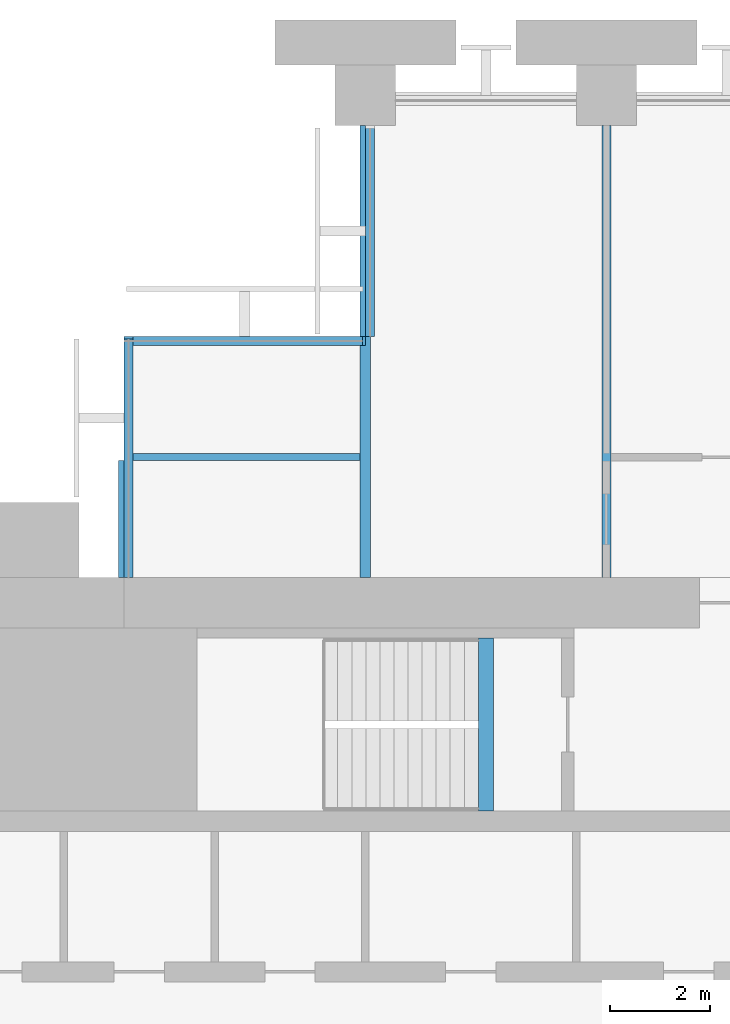
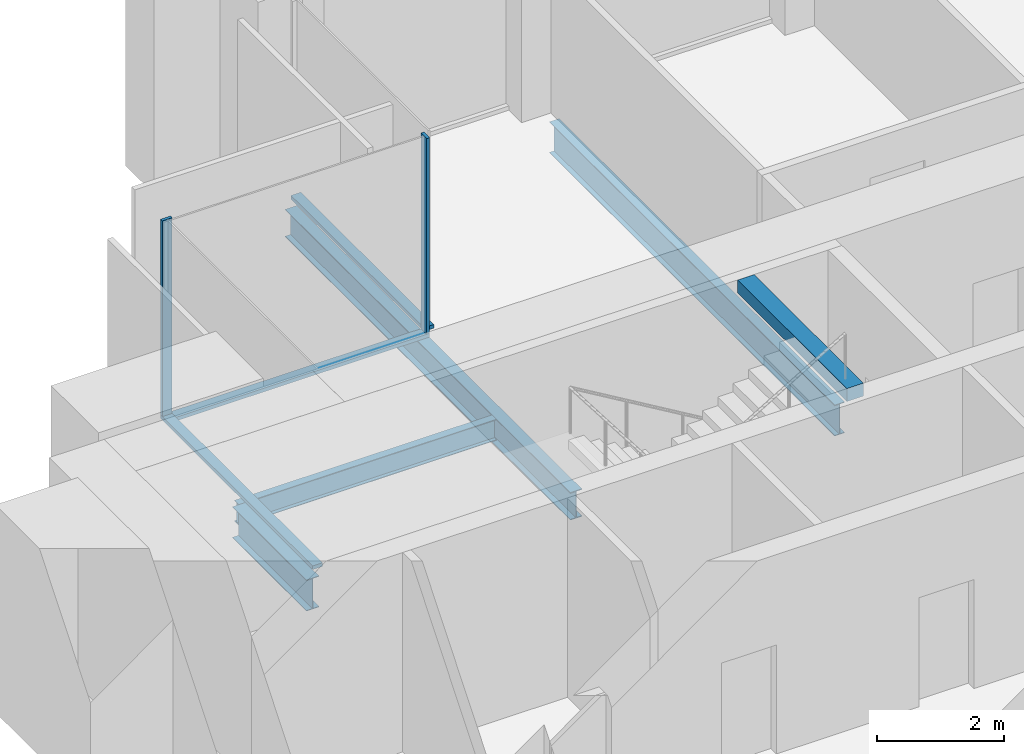
# One storey, part 5 of 14: 5 beams, 5 members, 3 elements without a shape of their own.
"""IFC4 building model written with IfcOpenShell, lengths in metres."""

from ifc_helpers import new_model, si_unit, direction, frame, origin, origin_2d, place, context, subcontext, project, spatial, rectangle, i_section, extrude, material, material_profile, profile_set, type_object, element, aggregate, save


model = new_model("IFC4")

# Units and contexts
model_context = context("Model", 3, precision=1e-05, world=origin(), true_north=direction((0.0, 1.0)))
body_context = subcontext(model_context, "Body", "Model", "MODEL_VIEW")
ifc_project = project(units=[si_unit("LENGTHUNIT", "METRE"), si_unit("AREAUNIT", "SQUARE_METRE"), si_unit("VOLUMEUNIT", "CUBIC_METRE"), si_unit("PLANEANGLEUNIT", "RADIAN"), si_unit("MASSUNIT", "GRAM", prefix="KILO")], contexts=[model_context])

# Site, building, storey
site_placement = place(None, origin())
site = spatial("IfcSite", under=ifc_project, at=site_placement, CompositionType="ELEMENT")
building_placement = place(site_placement, origin())
building = spatial("IfcBuilding", under=site, at=building_placement, Name="Baori Bourse Tower", CompositionType="ELEMENT")
storey_placement = place(building_placement, frame((0.0, 0.0, 112.10009765625)))
storey = spatial("IfcBuildingStorey", under=building, at=storey_placement, Name="L23", CompositionType="ELEMENT", Elevation=112.10009765625)

# Curtain wall, member
ifc_material_1 = material(Name="Pale anodised aluminium", Category="aluminium")
curtain_wall_type = type_object("IfcCurtainWallType", Name="CW2 Curtain wall", PredefinedType="NOTDEFINED", material=ifc_material_1)
curtain_wall_1_placement = place(storey_placement, origin())
curtain_wall_1 = element("IfcCurtainWall", 1, at=curtain_wall_1_placement, inside=storey, type_object=curtain_wall_type, Name="Curtain wall CW2 L23 6", PredefinedType="NOTDEFINED")
ifc_material_2 = material(Name="Pale anodised aluminium", Category="aluminium")
ifc_material_profile_1 = material_profile(ifc_material_2, rectangle(XDim=0.179931640625, YDim=0.054931640625, at=origin_2d()), Name="Mullion 55x180")
ifc_profile_set_1 = profile_set([ifc_material_profile_1], Name="Pale anodised aluminium")
member_type_1 = type_object("IfcMemberType", Name="CW2 Curtain wall mullion", PredefinedType="MULLION", material=ifc_profile_set_1)
member_1_placement = place(storey_placement, frame((9.572509765625, 43.110107421875, 0.06982421875), z_axis=(0.0, 0.0, 1.0), x_axis=(0.0, -1.0, 0.0)))
member_1 = element("IfcMember", 2, at=member_1_placement, type_object=member_type_1, Name="Curtain wall CW2 mullion", PredefinedType="MULLION", context=body_context, shape_type="SweptSolid", body=[
    extrude(rectangle(XDim=0.179931640625, YDim=0.054931640625, at=origin_2d()), origin(), (0.0, 0.0, 1.0), 3.77001953125),
])

curtain_wall_2_placement = place(storey_placement, origin())
curtain_wall_2 = element("IfcCurtainWall", 3, at=curtain_wall_2_placement, inside=storey, type_object=curtain_wall_type, Name="Curtain wall CW2 L23 7", PredefinedType="NOTDEFINED")
member_2_placement = place(storey_placement, frame((4.889892578125, 43.172607421875, 0.06982421875), z_axis=(0.0, 0.0, 1.0), x_axis=(1.0, 0.0, 0.0)))
member_2 = element("IfcMember", 4, at=member_2_placement, type_object=member_type_1, Name="Curtain wall CW2 mullion", PredefinedType="MULLION", context=body_context, shape_type="SweptSolid", body=[
    extrude(rectangle(XDim=0.179931640625, YDim=0.054931640625, at=origin_2d()), origin(), (0.0, 0.0, 1.0), 3.77001953125),
])

curtain_wall_3_placement = place(storey_placement, origin())
curtain_wall_3 = element("IfcCurtainWall", 5, at=curtain_wall_3_placement, inside=storey, type_object=curtain_wall_type, Name="Curtain wall CW2 L23 5", PredefinedType="NOTDEFINED")
ifc_material_3 = material(Name="Pale anodised aluminium", Category="aluminium")
ifc_material_profile_2 = material_profile(ifc_material_3, rectangle(XDim=0.179931640625, YDim=0.070068359375, at=origin_2d()), Name="Transom 70x180")
ifc_profile_set_2 = profile_set([ifc_material_profile_2], Name="Pale anodised aluminium")
member_type_2 = type_object("IfcMemberType", Name="CW2 Curtain wall transom", PredefinedType="USERDEFINED", material=ifc_profile_set_2)
member_3_placement = place(storey_placement, frame((9.68994140625, 47.39990234375, 0.034912109375), z_axis=(0.0, -1.0, 0.0), x_axis=(1.0, 0.0, 0.0)))
member_3 = element("IfcMember", 6, at=member_3_placement, type_object=member_type_2, Name="Curtain wall CW2 sill rail", ObjectType="TRANSOM", PredefinedType="USERDEFINED", context=body_context, shape_type="SweptSolid", body=[
    extrude(rectangle(XDim=0.179931640625, YDim=0.070068359375, at=origin_2d()), origin(), (0.0, 0.0, 1.0), 4.199951171875),
])
aggregate(curtain_wall_3, [member_3])

# Member
member_4_placement = place(storey_placement, frame((9.60009765625, 43.110107421875, 0.034912109375), z_axis=(-1.0, 0.0, 0.0), x_axis=(0.0, -1.0, 0.0)))
member_4 = element("IfcMember", 7, at=member_4_placement, type_object=member_type_2, Name="Curtain wall CW2 sill rail", ObjectType="TRANSOM", PredefinedType="USERDEFINED", context=body_context, shape_type="SweptSolid", body=[
    extrude(rectangle(XDim=0.179931640625, YDim=0.070068359375, at=origin_2d()), origin(), (0.0, 0.0, 1.0), 4.800048828125),
])

aggregate(curtain_wall_1, [member_4, member_1])

member_5_placement = place(storey_placement, frame((4.889892578125, 43.199951171875, 0.034912109375), z_axis=(0.0, -1.0, 0.0), x_axis=(1.0, 0.0, 0.0)))
member_5 = element("IfcMember", 8, at=member_5_placement, type_object=member_type_2, Name="Curtain wall CW2 sill rail", ObjectType="TRANSOM", PredefinedType="USERDEFINED", context=body_context, shape_type="SweptSolid", body=[
    extrude(rectangle(XDim=0.179931640625, YDim=0.070068359375, at=origin_2d()), origin(), (0.0, 0.0, 1.0), 4.800048828125),
])

aggregate(curtain_wall_2, [member_5, member_2])

# Beams
ifc_material_4 = material(Name="Steel A992 Gr 50", Category="steel")
ifc_material_profile_3 = material_profile(ifc_material_4, i_section(OverallWidth=0.227783203125, OverallDepth=0.60205078125, WebThickness=0.010498046875, FlangeThickness=0.014892578125, at=origin_2d()), Name="W24x68")
ifc_profile_set_3 = profile_set([ifc_material_profile_3], Name="Steel A992 Gr 50")
beam_type_1 = type_object("IfcBeamType", Name="Core bracket W24x68", PredefinedType="BEAM", material=ifc_profile_set_3)
beam_1_placement = place(storey_placement, frame((4.800048828125, 38.39990234375, -0.461181640625), z_axis=(0.0, 1.0, 0.0), x_axis=(-1.0, 0.0, 0.0)))
element("IfcBeam", 9, at=beam_1_placement, inside=storey, type_object=beam_type_1, Name="Core bracket L23", PredefinedType="BEAM", context=body_context, shape_type="SweptSolid", body=[
    extrude(i_section(OverallWidth=0.227783203125, OverallDepth=0.60205078125, WebThickness=0.010498046875, FlangeThickness=0.014892578125, at=origin_2d()), origin(), (0.0, 0.0, 1.0), 2.329833984375),
])
ifc_material_5 = material(Name="Steel A992 Gr 50", Category="steel")
ifc_material_profile_4 = material_profile(ifc_material_5, i_section(OverallWidth=0.209228515625, OverallDepth=0.533447265625, WebThickness=0.01025390625, FlangeThickness=0.015625, at=origin_2d()), Name="W21x62")
ifc_profile_set_4 = profile_set([ifc_material_profile_4], Name="Steel A992 Gr 50")
beam_type_2 = type_object("IfcBeamType", Name="Floor beam W21x62", PredefinedType="BEAM", material=ifc_profile_set_4)
beam_2_placement = place(storey_placement, frame((9.60009765625, 38.39990234375, -0.4267578125), z_axis=(0.0, 1.0, 0.0), x_axis=(-1.0, 0.0, 0.0)))
element("IfcBeam", 10, at=beam_2_placement, inside=storey, type_object=beam_type_2, Name="Floor beam L23", PredefinedType="BEAM", context=body_context, shape_type="SweptSolid", body=[
    extrude(i_section(OverallWidth=0.209228515625, OverallDepth=0.533447265625, WebThickness=0.01025390625, FlangeThickness=0.015625, at=origin_2d()), origin(), (0.0, 0.0, 1.0), 9.0),
])
ifc_material_6 = material(Name="Steel A992 Gr 50", Category="steel")
ifc_material_profile_5 = material_profile(ifc_material_6, i_section(OverallWidth=0.177978515625, OverallDepth=0.599365234375, WebThickness=0.010009765625, FlangeThickness=0.012939453125, at=origin_2d()), Name="W24x55")
ifc_profile_set_5 = profile_set([ifc_material_profile_5], Name="Steel A992 Gr 50")
beam_type_3 = type_object("IfcBeamType", Name="Floor beam W24x55", PredefinedType="BEAM", material=ifc_profile_set_5)
beam_3_placement = place(storey_placement, frame((14.39990234375, 38.39990234375, -0.459716796875), z_axis=(0.0, 1.0, 0.0), x_axis=(-1.0, 0.0, 0.0)))
element("IfcBeam", 11, at=beam_3_placement, inside=storey, type_object=beam_type_3, Name="Floor beam L23", PredefinedType="BEAM", context=body_context, shape_type="SweptSolid", body=[
    extrude(i_section(OverallWidth=0.177978515625, OverallDepth=0.599365234375, WebThickness=0.010009765625, FlangeThickness=0.012939453125, at=origin_2d()), origin(), (0.0, 0.0, 1.0), 9.0),
])
ifc_material_7 = material(Name="Concrete f'c 50 MPa", Category="concrete")
ifc_material_profile_6 = material_profile(ifc_material_7, rectangle(XDim=0.300048828125, YDim=0.25, at=origin_2d()), Name="RC 300x250")
ifc_profile_set_6 = profile_set([ifc_material_profile_6], Name="Concrete f'c 50 MPa")
beam_type_4 = type_object("IfcBeamType", Name="Stair nib beam RC 300x250", PredefinedType="BEAM", material=ifc_profile_set_6)
beam_4_placement = place(storey_placement, frame((12.0, 33.75, 3.71484375), z_axis=(0.0, 1.0, 0.0), x_axis=(-1.0, 0.0, 0.0)))
element("IfcBeam", 12, at=beam_4_placement, inside=storey, type_object=beam_type_4, Name="Stair WB nib beam L24", PredefinedType="BEAM", context=body_context, shape_type="SweptSolid", body=[
    extrude(rectangle(XDim=0.300048828125, YDim=0.25, at=origin_2d()), origin(), (0.0, 0.0, 1.0), 3.449951171875),
])
ifc_material_8 = material(Name="Steel A992 Gr 50", Category="steel")
ifc_material_profile_7 = material_profile(ifc_material_8, i_section(OverallWidth=0.140380859375, OverallDepth=0.40380859375, WebThickness=0.007080078125, FlangeThickness=0.01123046875, at=origin_2d()), Name="W16x31")
ifc_profile_set_7 = profile_set([ifc_material_profile_7], Name="Steel A992 Gr 50")
beam_type_5 = type_object("IfcBeamType", Name="Trimmer beam W16x31", PredefinedType="BEAM", material=ifc_profile_set_7)
beam_5_placement = place(storey_placement, frame((4.800048828125, 40.800048828125, -0.362060546875), z_axis=(1.0, 0.0, 0.0), x_axis=(0.0, 1.0, 0.0)))
element("IfcBeam", 13, at=beam_5_placement, inside=storey, type_object=beam_type_5, Name="Trimmer beam L23", PredefinedType="BEAM", context=body_context, shape_type="SweptSolid", body=[
    extrude(i_section(OverallWidth=0.140380859375, OverallDepth=0.40380859375, WebThickness=0.007080078125, FlangeThickness=0.01123046875, at=origin_2d()), origin(), (0.0, 0.0, 1.0), 4.6953125),
])

save(model, "model.ifc")
